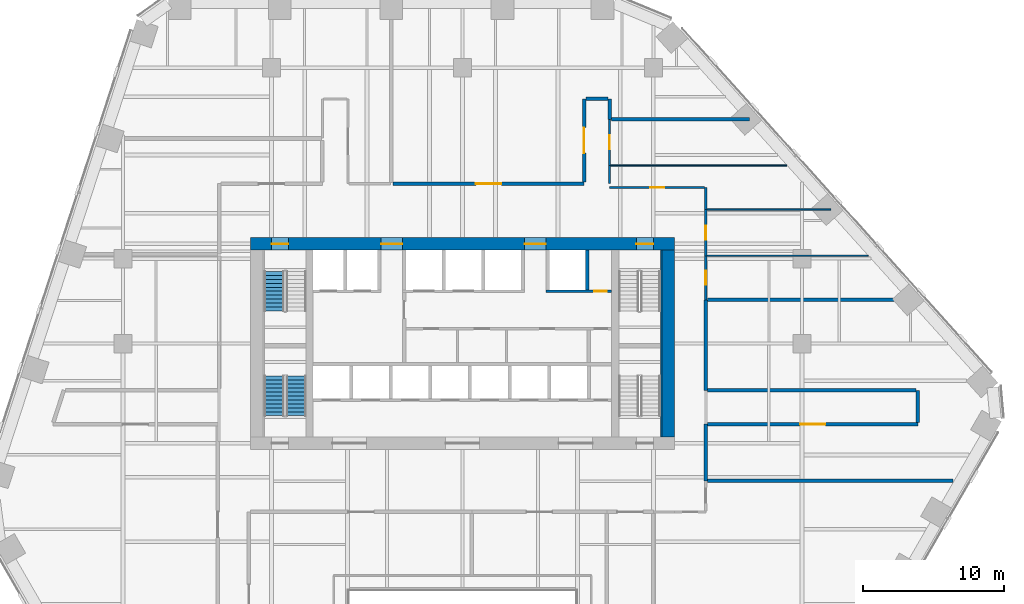
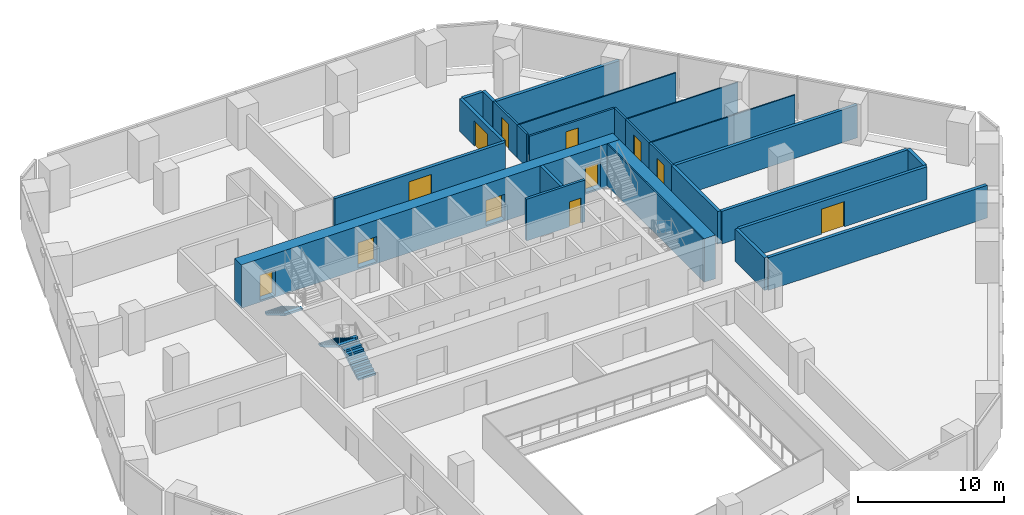
# One storey, part 16 of 21: 26 walls, 12 doors, 3 stair flights, 12 openings, 2 elements without a shape of their own.
"""IFC4 building model written with IfcOpenShell, lengths in metres."""

from ifc_helpers import new_model, si_unit, direction, frame, frame_2d, origin, place, context, subcontext, project, spatial, polyline, rectangle, outline, extrude, material, layer, layer_set, type_object, element, fill, aggregate, save


model = new_model("IFC4")

# Units and contexts
model_context = context("Model", 3, precision=1e-05, world=origin(), true_north=direction((0.0, 1.0)))
body_context = subcontext(model_context, "Body", "Model", "MODEL_VIEW")
ifc_project = project(units=[si_unit("LENGTHUNIT", "METRE"), si_unit("AREAUNIT", "SQUARE_METRE"), si_unit("VOLUMEUNIT", "CUBIC_METRE"), si_unit("PLANEANGLEUNIT", "RADIAN"), si_unit("MASSUNIT", "GRAM", prefix="KILO")], contexts=[model_context])

# Site, building, storey
site_placement = place(None, origin())
site = spatial("IfcSite", under=ifc_project, at=site_placement, CompositionType="ELEMENT")
building_placement = place(site_placement, origin())
building = spatial("IfcBuilding", under=site, at=building_placement, Name="Isthmus Gate Tower", CompositionType="ELEMENT")
storey_placement = place(building_placement, frame((0.0, 0.0, 109.85009765625)))
storey = spatial("IfcBuildingStorey", under=building, at=storey_placement, Name="L26", CompositionType="ELEMENT", Elevation=109.85009765625)

# Walls
ifc_material_1 = material(Name="Double-leaf acoustic stud wall, fire-rated", Category="gypsum")
ifc_layer_1 = layer(ifc_material_1, 0.25)
ifc_layer_set_1 = layer_set([ifc_layer_1], Name="ACOUSTIC WALL 250 60 MIN")
wall_type_1 = type_object("IfcWallType", Name="ACOUSTIC WALL 250 60 MIN", PredefinedType="PARTITIONING", material=ifc_layer_set_1)
wall_1_placement = place(storey_placement, frame((10.39990234375, 24.800048828125, 0.0), z_axis=(0.0, 0.0, 1.0), x_axis=(0.0, -1.0, 0.0)))
element("IfcWall", 1, at=wall_1_placement, inside=storey, type_object=wall_type_1, Name="L26 Acoustic Wall 250 60 Min", PredefinedType="PARTITIONING", context=body_context, shape_type="SweptSolid", body=[
    extrude(rectangle(XDim=1.449951171875, YDim=0.25, at=frame_2d((0.72509765625, 0.0))), origin(), (0.0, 0.0, 1.0), 2.7412109375),
])
wall_2_placement = place(storey_placement, frame((17.199951171875, 1.800048828125, 0.0), z_axis=(0.0, 0.0, 1.0), x_axis=(0.0, -1.0, 0.0)))
element("IfcWall", 2, at=wall_2_placement, inside=storey, type_object=wall_type_1, Name="L26 Acoustic Wall 250 60 Min", PredefinedType="PARTITIONING", context=body_context, shape_type="SweptSolid", body=[
    extrude(rectangle(XDim=4.0, YDim=0.25, at=frame_2d((2.0, 0.0))), origin(), (0.0, 0.0, 1.0), 2.7412109375),
])

# Wall, opening, door
wall_3_placement = place(storey_placement, frame((32.199951171875, 1.800048828125, 0.0), z_axis=(0.0, 0.0, 1.0), x_axis=(-1.0, 0.0, 0.0)))
wall_3 = element("IfcWall", 3, at=wall_3_placement, inside=storey, type_object=wall_type_1, Name="L26 Acoustic Wall 250 60 Min", PredefinedType="PARTITIONING", context=body_context, shape_type="SweptSolid", body=[
    extrude(rectangle(XDim=14.875, YDim=0.25, at=frame_2d((7.4375, 0.0))), origin(), (0.0, 0.0, 1.0), 2.7412109375),
])
opening_1_placement = place(wall_3_placement, frame((6.53759765625, 0.0, 0.0)))
opening_1 = element("IfcOpeningElement", 4, at=opening_1_placement, cuts=wall_3, Name="Opening DT-T2D-17", PredefinedType="OPENING", context=body_context, shape_type="SweptSolid", body=[
    extrude(rectangle(XDim=1.800048828125, YDim=2.10009765625, at=frame_2d((0.89990234375, 1.050048828125))), frame((0.0, 0.135009765625, 0.0), z_axis=(0.0, -1.0, 0.0), x_axis=(1.0, 0.0, 0.0)), (0.0, 0.0, 1.0), 0.27001953125),
])
ifc_material_2 = material(Name="Solid core timber door leaf, fire-rated", Category="wood")
door_type_1 = type_object("IfcDoorType", Name="FIRE DOOR ACOUSTIC ROOM 1800 X 2100 60 MIN", OperationType="DOUBLE_DOOR_DOUBLE_SWING", PredefinedType="DOOR", material=ifc_material_2)
door_1_placement = place(opening_1_placement, origin())
door_1 = element("IfcDoor", 5, at=door_1_placement, inside=storey, type_object=door_type_1, Name="L26 room door", OperationType="DOUBLE_DOOR_DOUBLE_SWING", OverallHeight=2.10009765625, OverallWidth=1.800048828125, PredefinedType="DOOR", context=body_context, shape_type="SweptSolid", body=[
    extrude(rectangle(XDim=1.800048828125, YDim=2.10009765625, at=frame_2d((0.89990234375, 1.050048828125))), frame((0.0, 0.02490234375, 0.0), z_axis=(0.0, -1.0, 0.0), x_axis=(1.0, 0.0, 0.0)), (0.0, 0.0, 1.0), 0.050048828125),
])
fill(opening_1, door_1)

# Walls
wall_4_placement = place(storey_placement, frame((32.199951171875, 4.199951171875, 0.0), z_axis=(0.0, 0.0, 1.0), x_axis=(0.0, -1.0, 0.0)))
element("IfcWall", 6, at=wall_4_placement, inside=storey, type_object=wall_type_1, Name="L26 Acoustic Wall 250 60 Min", PredefinedType="PARTITIONING", context=body_context, shape_type="SweptSolid", body=[
    extrude(rectangle(XDim=2.27490234375, YDim=0.25, at=frame_2d((1.137451171875, 0.0))), origin(), (0.0, 0.0, 1.0), 2.7412109375),
])
wall_5_placement = place(storey_placement, frame((17.199951171875, 10.583984375, 0.0), z_axis=(0.0, 0.0, 1.0), x_axis=(0.0, -1.0, 0.0)))
element("IfcWall", 7, at=wall_5_placement, inside=storey, type_object=wall_type_1, Name="L26 Acoustic Wall 250 60 Min", PredefinedType="PARTITIONING", context=body_context, shape_type="SweptSolid", body=[
    extrude(rectangle(XDim=6.384033203125, YDim=0.25, at=frame_2d((3.19189453125, 0.0))), origin(), (0.0, 0.0, 1.0), 2.7412109375),
])

# Wall, opening, door
wall_6_placement = place(storey_placement, frame((-4.912109375, 18.800048828125, 0.0), z_axis=(0.0, 0.0, 1.0), x_axis=(1.0, 0.0, 0.0)))
wall_6 = element("IfcWall", 8, at=wall_6_placement, inside=storey, type_object=wall_type_1, Name="L26 Acoustic Wall 250 60 Min", PredefinedType="PARTITIONING", context=body_context, shape_type="SweptSolid", body=[
    extrude(rectangle(XDim=13.51220703125, YDim=0.25, at=frame_2d((6.756103515625, 0.0))), origin(), (0.0, 0.0, 1.0), 2.7412109375),
])
opening_2_placement = place(wall_6_placement, frame((5.85595703125, 0.0, 0.0)))
opening_2 = element("IfcOpeningElement", 9, at=opening_2_placement, cuts=wall_6, Name="Opening DT-T2D-02", PredefinedType="OPENING", context=body_context, shape_type="SweptSolid", body=[
    extrude(rectangle(XDim=1.800048828125, YDim=2.10009765625, at=frame_2d((0.89990234375, 1.050048828125))), frame((0.0, 0.135009765625, 0.0), z_axis=(0.0, -1.0, 0.0), x_axis=(1.0, 0.0, 0.0)), (0.0, 0.0, 1.0), 0.27001953125),
])
door_2_placement = place(opening_2_placement, origin())
door_2 = element("IfcDoor", 10, at=door_2_placement, inside=storey, type_object=door_type_1, Name="L26 room door", OperationType="DOUBLE_DOOR_DOUBLE_SWING", OverallHeight=2.10009765625, OverallWidth=1.800048828125, PredefinedType="DOOR", context=body_context, shape_type="SweptSolid", body=[
    extrude(rectangle(XDim=1.800048828125, YDim=2.10009765625, at=frame_2d((0.89990234375, 1.050048828125))), frame((0.0, 0.02490234375, 0.0), z_axis=(0.0, -1.0, 0.0), x_axis=(1.0, 0.0, 0.0)), (0.0, 0.0, 1.0), 0.050048828125),
])
fill(opening_2, door_2)

wall_7_placement = place(storey_placement, frame((8.60009765625, 18.925048828125, 0.0), z_axis=(0.0, 0.0, 1.0), x_axis=(0.0, 1.0, 0.0)))
wall_7 = element("IfcWall", 11, at=wall_7_placement, inside=storey, type_object=wall_type_1, Name="L26 Acoustic Wall 250 60 Min", PredefinedType="PARTITIONING", context=body_context, shape_type="SweptSolid", body=[
    extrude(rectangle(XDim=5.875, YDim=0.25, at=frame_2d((2.9375, 0.0))), origin(), (0.0, 0.0, 1.0), 2.7412109375),
])
opening_3_placement = place(wall_7_placement, frame((2.03759765625, 0.0, 0.0)))
opening_3 = element("IfcOpeningElement", 12, at=opening_3_placement, cuts=wall_7, Name="Opening DT-T2D-03", PredefinedType="OPENING", context=body_context, shape_type="SweptSolid", body=[
    extrude(rectangle(XDim=1.800048828125, YDim=2.10009765625, at=frame_2d((0.89990234375, 1.050048828125))), frame((0.0, 0.135009765625, 0.0), z_axis=(0.0, -1.0, 0.0), x_axis=(1.0, 0.0, 0.0)), (0.0, 0.0, 1.0), 0.27001953125),
])
door_3_placement = place(opening_3_placement, origin())
door_3 = element("IfcDoor", 13, at=door_3_placement, inside=storey, type_object=door_type_1, Name="L26 room door", OperationType="DOUBLE_DOOR_DOUBLE_SWING", OverallHeight=2.10009765625, OverallWidth=1.800048828125, PredefinedType="DOOR", context=body_context, shape_type="SweptSolid", body=[
    extrude(rectangle(XDim=1.800048828125, YDim=2.10009765625, at=frame_2d((0.89990234375, 1.050048828125))), frame((0.0, 0.02490234375, 0.0), z_axis=(0.0, -1.0, 0.0), x_axis=(1.0, 0.0, 0.0)), (0.0, 0.0, 1.0), 0.050048828125),
])
fill(opening_3, door_3)

# Walls
wall_8_placement = place(storey_placement, frame((8.72509765625, 24.800048828125, 0.0), z_axis=(0.0, 0.0, 1.0), x_axis=(1.0, 0.0, 0.0)))
element("IfcWall", 14, at=wall_8_placement, inside=storey, type_object=wall_type_1, Name="L26 Acoustic Wall 250 60 Min", PredefinedType="PARTITIONING", context=body_context, shape_type="SweptSolid", body=[
    extrude(rectangle(XDim=1.5498046875, YDim=0.25, at=frame_2d((0.77490234375, 0.0))), origin(), (0.0, 0.0, 1.0), 2.7412109375),
])
wall_9_placement = place(storey_placement, frame((10.52490234375, 23.35009765625, 0.0), z_axis=(0.0, 0.0, 1.0), x_axis=(1.0, 0.0, 0.0)))
element("IfcWall", 15, at=wall_9_placement, inside=storey, type_object=wall_type_1, Name="L26 Acoustic Wall 250 60 Min", PredefinedType="PARTITIONING", context=body_context, shape_type="SweptSolid", body=[
    extrude(rectangle(XDim=9.76220703125, YDim=0.25, at=frame_2d((4.881103515625, 0.0))), origin(), (0.0, 0.0, 1.0), 2.7412109375),
])
wall_10_placement = place(storey_placement, frame((17.324951171875, 10.583984375, 0.0), z_axis=(0.0, 0.0, 1.0), x_axis=(1.0, 0.0, 0.0)))
element("IfcWall", 16, at=wall_10_placement, inside=storey, type_object=wall_type_1, Name="L26 Acoustic Wall 250 60 Min", PredefinedType="PARTITIONING", context=body_context, shape_type="SweptSolid", body=[
    extrude(rectangle(XDim=14.45703125, YDim=0.25, at=frame_2d((7.228515625, 0.0))), origin(), (0.0, 0.0, 1.0), 2.7412109375),
])
wall_11_placement = place(storey_placement, frame((17.324951171875, 4.199951171875, 0.0), z_axis=(0.0, 0.0, 1.0), x_axis=(1.0, 0.0, 0.0)))
element("IfcWall", 17, at=wall_11_placement, inside=storey, type_object=wall_type_1, Name="L26 Acoustic Wall 250 60 Min", PredefinedType="PARTITIONING", context=body_context, shape_type="SweptSolid", body=[
    extrude(rectangle(XDim=14.75, YDim=0.25, at=frame_2d((7.375, 0.0))), origin(), (0.0, 0.0, 1.0), 2.7412109375),
])
wall_12_placement = place(storey_placement, frame((17.324951171875, -2.199951171875, 0.0), z_axis=(0.0, 0.0, 1.0), x_axis=(1.0, 0.0, 0.0)))
element("IfcWall", 18, at=wall_12_placement, inside=storey, type_object=wall_type_1, Name="L26 Acoustic Wall 250 60 Min", PredefinedType="PARTITIONING", context=body_context, shape_type="SweptSolid", body=[
    extrude(rectangle(XDim=17.362060546875, YDim=0.25, at=frame_2d((8.68115234375, 0.0))), origin(), (0.0, 0.0, 1.0), 2.7412109375),
])

# Wall, opening, door
ifc_material_3 = material(Name="Gypsum board on steel studs, fire-rated", Category="steel")
ifc_layer_2 = layer(ifc_material_3, 0.14990234375)
ifc_layer_set_2 = layer_set([ifc_layer_2], Name="CORRIDOR WALL 150 60 MIN")
wall_type_2 = type_object("IfcWallType", Name="CORRIDOR WALL 150 60 MIN", PredefinedType="PARTITIONING", material=ifc_layer_set_2)
wall_13_placement = place(storey_placement, frame((10.39990234375, 23.35009765625, 0.0), z_axis=(0.0, 0.0, 1.0), x_axis=(0.0, -1.0, 0.0)))
wall_13 = element("IfcWall", 19, at=wall_13_placement, inside=storey, type_object=wall_type_2, Name="L26 Corridor Wall 150 60 Min", PredefinedType="PARTITIONING", context=body_context, shape_type="SweptSolid", body=[
    extrude(rectangle(XDim=3.258056640625, YDim=0.14990234375, at=frame_2d((1.62890625, 0.0))), origin(), (0.0, 0.0, 1.0), 2.7412109375),
])
opening_4_placement = place(wall_13_placement, frame((1.12890625, 0.0, 0.0)))
opening_4 = element("IfcOpeningElement", 20, at=opening_4_placement, cuts=wall_13, Name="Opening DT-T2D-04", PredefinedType="OPENING", context=body_context, shape_type="SweptSolid", body=[
    extrude(rectangle(XDim=1.0, YDim=2.10009765625, at=frame_2d((0.5, 1.050048828125))), frame((0.0, 0.0849609375, 0.0), z_axis=(0.0, -1.0, 0.0), x_axis=(1.0, 0.0, 0.0)), (0.0, 0.0, 1.0), 0.169921875),
])
ifc_material_4 = material(Name="Solid core timber door leaf, fire-rated", Category="wood")
door_type_2 = type_object("IfcDoorType", Name="FIRE DOOR ROOM 1000 X 2100 60 MIN", OperationType="SINGLE_SWING_LEFT", PredefinedType="DOOR", material=ifc_material_4)
door_4_placement = place(opening_4_placement, origin())
door_4 = element("IfcDoor", 21, at=door_4_placement, inside=storey, type_object=door_type_2, Name="L26 room door", OperationType="SINGLE_SWING_RIGHT", OverallHeight=2.10009765625, OverallWidth=1.0, PredefinedType="DOOR", context=body_context, shape_type="SweptSolid", body=[
    extrude(rectangle(XDim=1.0, YDim=2.10009765625, at=frame_2d((0.5, 1.050048828125))), frame((0.0, 0.02490234375, 0.0), z_axis=(0.0, -1.0, 0.0), x_axis=(1.0, 0.0, 0.0)), (0.0, 0.0, 1.0), 0.050048828125),
])
fill(opening_4, door_4)

# Walls
wall_14_placement = place(storey_placement, frame((10.39990234375, 20.092041015625, 0.0), z_axis=(0.0, 0.0, 1.0), x_axis=(0.0, -1.0, 0.0)))
element("IfcWall", 22, at=wall_14_placement, inside=storey, type_object=wall_type_2, Name="L26 Corridor Wall 150 60 Min", PredefinedType="PARTITIONING", context=body_context, shape_type="SweptSolid", body=[
    extrude(rectangle(XDim=1.2900390625, YDim=0.14990234375, at=frame_2d((0.64501953125, 0.0))), origin(), (0.0, 0.0, 1.0), 2.7412109375),
])
wall_15_placement = place(storey_placement, frame((17.199951171875, 18.5400390625, 0.0), z_axis=(0.0, 0.0, 1.0), x_axis=(0.0, -1.0, 0.0)))
element("IfcWall", 23, at=wall_15_placement, inside=storey, type_object=wall_type_2, Name="L26 Corridor Wall 150 60 Min", PredefinedType="PARTITIONING", context=body_context, shape_type="SweptSolid", body=[
    extrude(rectangle(XDim=1.572998046875, YDim=0.14990234375, at=frame_2d((0.78662109375, 0.0))), origin(), (0.0, 0.0, 1.0), 2.7412109375),
])

# Wall, opening, door
wall_16_placement = place(storey_placement, frame((17.199951171875, 16.967041015625, 0.0), z_axis=(0.0, 0.0, 1.0), x_axis=(0.0, -1.0, 0.0)))
wall_16 = element("IfcWall", 24, at=wall_16_placement, inside=storey, type_object=wall_type_2, Name="L26 Corridor Wall 150 60 Min", PredefinedType="PARTITIONING", context=body_context, shape_type="SweptSolid", body=[
    extrude(rectangle(XDim=3.258056640625, YDim=0.14990234375, at=frame_2d((1.62890625, 0.0))), origin(), (0.0, 0.0, 1.0), 2.7412109375),
])
opening_5_placement = place(wall_16_placement, frame((1.12890625, 0.0, 0.0)))
opening_5 = element("IfcOpeningElement", 25, at=opening_5_placement, cuts=wall_16, Name="Opening DT-T2D-07", PredefinedType="OPENING", context=body_context, shape_type="SweptSolid", body=[
    extrude(rectangle(XDim=1.0, YDim=2.10009765625, at=frame_2d((0.5, 1.050048828125))), frame((0.0, 0.0849609375, 0.0), z_axis=(0.0, -1.0, 0.0), x_axis=(1.0, 0.0, 0.0)), (0.0, 0.0, 1.0), 0.169921875),
])
door_5_placement = place(opening_5_placement, origin())
door_5 = element("IfcDoor", 26, at=door_5_placement, inside=storey, type_object=door_type_2, Name="L26 room door", OperationType="SINGLE_SWING_RIGHT", OverallHeight=2.10009765625, OverallWidth=1.0, PredefinedType="DOOR", context=body_context, shape_type="SweptSolid", body=[
    extrude(rectangle(XDim=1.0, YDim=2.10009765625, at=frame_2d((0.5, 1.050048828125))), frame((0.0, 0.02490234375, 0.0), z_axis=(0.0, -1.0, 0.0), x_axis=(1.0, 0.0, 0.0)), (0.0, 0.0, 1.0), 0.050048828125),
])
fill(opening_5, door_5)

wall_17_placement = place(storey_placement, frame((17.199951171875, 13.708984375, 0.0), z_axis=(0.0, 0.0, 1.0), x_axis=(0.0, -1.0, 0.0)))
wall_17 = element("IfcWall", 27, at=wall_17_placement, inside=storey, type_object=wall_type_2, Name="L26 Corridor Wall 150 60 Min", PredefinedType="PARTITIONING", context=body_context, shape_type="SweptSolid", body=[
    extrude(rectangle(XDim=3.125, YDim=0.14990234375, at=frame_2d((1.5625, 0.0))), origin(), (0.0, 0.0, 1.0), 2.7412109375),
])
opening_6_placement = place(wall_17_placement, frame((1.0625, 0.0, 0.0)))
opening_6 = element("IfcOpeningElement", 28, at=opening_6_placement, cuts=wall_17, Name="Opening DT-T2D-08", PredefinedType="OPENING", context=body_context, shape_type="SweptSolid", body=[
    extrude(rectangle(XDim=1.0, YDim=2.10009765625, at=frame_2d((0.5, 1.050048828125))), frame((0.0, 0.0849609375, 0.0), z_axis=(0.0, -1.0, 0.0), x_axis=(1.0, 0.0, 0.0)), (0.0, 0.0, 1.0), 0.169921875),
])
door_6_placement = place(opening_6_placement, origin())
door_6 = element("IfcDoor", 29, at=door_6_placement, inside=storey, type_object=door_type_2, Name="L26 room door", OperationType="SINGLE_SWING_RIGHT", OverallHeight=2.10009765625, OverallWidth=1.0, PredefinedType="DOOR", context=body_context, shape_type="SweptSolid", body=[
    extrude(rectangle(XDim=1.0, YDim=2.10009765625, at=frame_2d((0.5, 1.050048828125))), frame((0.0, 0.02490234375, 0.0), z_axis=(0.0, -1.0, 0.0), x_axis=(1.0, 0.0, 0.0)), (0.0, 0.0, 1.0), 0.050048828125),
])
fill(opening_6, door_6)

wall_18_placement = place(storey_placement, frame((10.39794921875, 18.5400390625, 0.0), z_axis=(0.0, 0.0, 1.0), x_axis=(1.0, 0.0, 0.0)))
wall_18 = element("IfcWall", 30, at=wall_18_placement, inside=storey, type_object=wall_type_2, Name="L26 Corridor Wall 150 60 Min", PredefinedType="PARTITIONING", context=body_context, shape_type="SweptSolid", body=[
    extrude(rectangle(XDim=6.72705078125, YDim=0.14990234375, at=frame_2d((3.363525390625, 0.0))), origin(), (0.0, 0.0, 1.0), 2.7412109375),
])
opening_7_placement = place(wall_18_placement, frame((2.863525390625, 0.0, 0.0)))
opening_7 = element("IfcOpeningElement", 31, at=opening_7_placement, cuts=wall_18, Name="Opening DT-T2D-06", PredefinedType="OPENING", context=body_context, shape_type="SweptSolid", body=[
    extrude(rectangle(XDim=1.0, YDim=2.10009765625, at=frame_2d((0.5, 1.050048828125))), frame((0.0, 0.0849609375, 0.0), z_axis=(0.0, -1.0, 0.0), x_axis=(1.0, 0.0, 0.0)), (0.0, 0.0, 1.0), 0.169921875),
])
door_7_placement = place(opening_7_placement, origin())
door_7 = element("IfcDoor", 32, at=door_7_placement, inside=storey, type_object=door_type_2, Name="L26 room door", OperationType="SINGLE_SWING_RIGHT", OverallHeight=2.10009765625, OverallWidth=1.0, PredefinedType="DOOR", context=body_context, shape_type="SweptSolid", body=[
    extrude(rectangle(XDim=1.0, YDim=2.10009765625, at=frame_2d((0.5, 1.050048828125))), frame((0.0, 0.02490234375, 0.0), z_axis=(0.0, -1.0, 0.0), x_axis=(1.0, 0.0, 0.0)), (0.0, 0.0, 1.0), 0.050048828125),
])
fill(opening_7, door_7)

# Wall, openings, doors
ifc_material_5 = material(Name="Concrete f'c 70 MPa", Category="concrete")
ifc_layer_3 = layer(ifc_material_5, 0.89990234375)
ifc_layer_set_3 = layer_set([ifc_layer_3], Name="RC CORE WALL 900 F'C 70")
wall_type_3 = type_object("IfcWallType", Name="RC CORE WALL 900 F'C 70", PredefinedType="SOLIDWALL", material=ifc_layer_set_3)
wall_19_placement = place(storey_placement, frame((-15.0, 14.550048828125, -0.150146484375), z_axis=(0.0, 0.0, 1.0), x_axis=(1.0, 0.0, 0.0)))
wall_19 = element("IfcWall", 33, at=wall_19_placement, inside=storey, type_object=wall_type_3, Name="str-corewall-L26-N", PredefinedType="SOLIDWALL", context=body_context, shape_type="SweptSolid", body=[
    extrude(rectangle(XDim=30.0, YDim=0.89990234375, at=frame_2d((15.0, 0.0))), origin(), (0.0, 0.0, 1.0), 3.650146484375),
])
opening_8_placement = place(wall_19_placement, frame((9.25, 0.0, 0.14990234375)))
opening_8 = element("IfcOpeningElement", 34, at=opening_8_placement, cuts=wall_19, Name="Opening DC-A03-11", PredefinedType="OPENING", context=body_context, shape_type="SweptSolid", body=[
    extrude(rectangle(XDim=1.5, YDim=2.10009765625, at=frame_2d((0.75, 1.050048828125))), frame((0.0, 0.4599609375, 0.0), z_axis=(0.0, -1.0, 0.0), x_axis=(1.0, 0.0, 0.0)), (0.0, 0.0, 1.0), 0.919921875),
])
opening_9_placement = place(wall_19_placement, frame((19.39990234375, 0.0, 0.14990234375)))
opening_9 = element("IfcOpeningElement", 35, at=opening_9_placement, cuts=wall_19, Name="Opening DC-A03-12", PredefinedType="OPENING", context=body_context, shape_type="SweptSolid", body=[
    extrude(rectangle(XDim=1.5, YDim=2.10009765625, at=frame_2d((0.75, 1.050048828125))), frame((0.0, 0.4599609375, 0.0), z_axis=(0.0, -1.0, 0.0), x_axis=(1.0, 0.0, 0.0)), (0.0, 0.0, 1.0), 0.919921875),
])
opening_10_placement = place(wall_19_placement, frame((1.5, 0.0, 0.14990234375)))
opening_10 = element("IfcOpeningElement", 36, at=opening_10_placement, cuts=wall_19, Name="Opening DC-A03-13", PredefinedType="OPENING", context=body_context, shape_type="SweptSolid", body=[
    extrude(rectangle(XDim=1.199951171875, YDim=2.10009765625, at=frame_2d((0.60009765625, 1.050048828125))), frame((0.0, 0.4599609375, 0.0), z_axis=(0.0, -1.0, 0.0), x_axis=(1.0, 0.0, 0.0)), (0.0, 0.0, 1.0), 0.919921875),
])
opening_11_placement = place(wall_19_placement, frame((27.300048828125, 0.0, 0.14990234375)))
opening_11 = element("IfcOpeningElement", 37, at=opening_11_placement, cuts=wall_19, Name="Opening DC-A03-14", PredefinedType="OPENING", context=body_context, shape_type="SweptSolid", body=[
    extrude(rectangle(XDim=1.199951171875, YDim=2.10009765625, at=frame_2d((0.60009765625, 1.050048828125))), frame((0.0, 0.4599609375, 0.0), z_axis=(0.0, -1.0, 0.0), x_axis=(1.0, 0.0, 0.0)), (0.0, 0.0, 1.0), 0.919921875),
])
ifc_material_6 = material(Name="Steel door leaf, fire-rated", Category="steel")
door_type_3 = type_object("IfcDoorType", Name="LOBBY FIRE DOOR 1500 X 2100 60 MIN", OperationType="DOUBLE_DOOR_SINGLE_SWING", PredefinedType="DOOR", material=ifc_material_6)
door_8_placement = place(opening_9_placement, origin())
door_8 = element("IfcDoor", 38, at=door_8_placement, inside=storey, type_object=door_type_3, Name="Lobby Door PN-E", OperationType="DOUBLE_DOOR_SINGLE_SWING", OverallHeight=2.10009765625, OverallWidth=1.5, PredefinedType="DOOR", context=body_context, shape_type="SweptSolid", body=[
    extrude(rectangle(XDim=1.5, YDim=2.10009765625, at=frame_2d((0.75, 1.050048828125))), frame((0.0, 0.02490234375, 0.0), z_axis=(0.0, -1.0, 0.0), x_axis=(1.0, 0.0, 0.0)), (0.0, 0.0, 1.0), 0.050048828125),
])
fill(opening_9, door_8)
ifc_material_7 = material(Name="Steel door leaf, fire-rated", Category="steel")
door_type_4 = type_object("IfcDoorType", Name="LOBBY FIRE DOOR 1500 X 2100 90 MIN", OperationType="DOUBLE_DOOR_SINGLE_SWING", PredefinedType="DOOR", material=ifc_material_7)
door_9_placement = place(opening_8_placement, origin())
door_9 = element("IfcDoor", 39, at=door_9_placement, inside=storey, type_object=door_type_4, Name="Lobby Door PN-W", OperationType="DOUBLE_DOOR_SINGLE_SWING", OverallHeight=2.10009765625, OverallWidth=1.5, PredefinedType="DOOR", context=body_context, shape_type="SweptSolid", body=[
    extrude(rectangle(XDim=1.5, YDim=2.10009765625, at=frame_2d((0.75, 1.050048828125))), frame((0.0, 0.02490234375, 0.0), z_axis=(0.0, -1.0, 0.0), x_axis=(1.0, 0.0, 0.0)), (0.0, 0.0, 1.0), 0.050048828125),
])
fill(opening_8, door_9)
ifc_material_8 = material(Name="Steel door leaf, fire-rated", Category="steel")
door_type_5 = type_object("IfcDoorType", Name="STAIR FIRE DOOR 1200 X 2100 90 MIN", OperationType="SINGLE_SWING_LEFT", PredefinedType="DOOR", material=ifc_material_8)
door_10_placement = place(opening_10_placement, origin())
door_10 = element("IfcDoor", 40, at=door_10_placement, inside=storey, type_object=door_type_5, Name="Exit Stair 1 Door", OperationType="SINGLE_SWING_RIGHT", OverallHeight=2.10009765625, OverallWidth=1.199951171875, PredefinedType="DOOR", context=body_context, shape_type="SweptSolid", body=[
    extrude(rectangle(XDim=1.199951171875, YDim=2.10009765625, at=frame_2d((0.60009765625, 1.050048828125))), frame((0.0, 0.02490234375, 0.0), z_axis=(0.0, -1.0, 0.0), x_axis=(1.0, 0.0, 0.0)), (0.0, 0.0, 1.0), 0.050048828125),
])
fill(opening_10, door_10)
door_11_placement = place(opening_11_placement, origin())
door_11 = element("IfcDoor", 41, at=door_11_placement, inside=storey, type_object=door_type_5, Name="Exit Stair 2 Door", OperationType="SINGLE_SWING_LEFT", OverallHeight=2.10009765625, OverallWidth=1.199951171875, PredefinedType="DOOR", context=body_context, shape_type="SweptSolid", body=[
    extrude(rectangle(XDim=1.199951171875, YDim=2.10009765625, at=frame_2d((0.60009765625, 1.050048828125))), frame((0.0, 0.02490234375, 0.0), z_axis=(0.0, -1.0, 0.0), x_axis=(1.0, 0.0, 0.0)), (0.0, 0.0, 1.0), 0.050048828125),
])
fill(opening_11, door_11)

# Walls
wall_20_placement = place(storey_placement, frame((14.550048828125, 0.89990234375, -0.150146484375), z_axis=(0.0, 0.0, 1.0), x_axis=(0.0, 1.0, 0.0)))
element("IfcWall", 42, at=wall_20_placement, inside=storey, type_object=wall_type_3, Name="str-corewall-L26-E", PredefinedType="SOLIDWALL", context=body_context, shape_type="SweptSolid", body=[
    extrude(rectangle(XDim=13.2001953125, YDim=0.89990234375, at=frame_2d((6.60009765625, 0.0))), origin(), (0.0, 0.0, 1.0), 3.650146484375),
])
ifc_material_9 = material(Name="Gypsum board on steel studs, fire-rated", Category="steel")
ifc_layer_4 = layer(ifc_material_9, 0.10009765625)
ifc_layer_set_4 = layer_set([ifc_layer_4], Name="ROOM PARTITION 100 30 MIN")
wall_type_4 = type_object("IfcWallType", Name="ROOM PARTITION 100 30 MIN", PredefinedType="PARTITIONING", material=ifc_layer_set_4)
wall_21_placement = place(storey_placement, frame((10.47509765625, 20.092041015625, 0.0), z_axis=(0.0, 0.0, 1.0), x_axis=(1.0, 0.0, 0.0)))
element("IfcWall", 43, at=wall_21_placement, inside=storey, type_object=wall_type_4, Name="L26 Room Partition 100 30 Min", PredefinedType="PARTITIONING", context=body_context, shape_type="SweptSolid", body=[
    extrude(rectangle(XDim=12.44580078125, YDim=0.10009765625, at=frame_2d((6.222900390625, 0.0))), origin(), (0.0, 0.0, 1.0), 2.7412109375),
])
wall_22_placement = place(storey_placement, frame((17.27490234375, 16.967041015625, 0.0), z_axis=(0.0, 0.0, 1.0), x_axis=(1.0, 0.0, 0.0)))
element("IfcWall", 44, at=wall_22_placement, inside=storey, type_object=wall_type_4, Name="L26 Room Partition 100 30 Min", PredefinedType="PARTITIONING", context=body_context, shape_type="SweptSolid", body=[
    extrude(rectangle(XDim=8.760009765625, YDim=0.10009765625, at=frame_2d((4.3798828125, 0.0))), origin(), (0.0, 0.0, 1.0), 2.7412109375),
])
wall_23_placement = place(storey_placement, frame((17.27490234375, 13.708984375, 0.0), z_axis=(0.0, 0.0, 1.0), x_axis=(1.0, 0.0, 0.0)))
element("IfcWall", 45, at=wall_23_placement, inside=storey, type_object=wall_type_4, Name="L26 Room Partition 100 30 Min", PredefinedType="PARTITIONING", context=body_context, shape_type="SweptSolid", body=[
    extrude(rectangle(XDim=11.39306640625, YDim=0.10009765625, at=frame_2d((5.696533203125, 0.0))), origin(), (0.0, 0.0, 1.0), 2.7412109375),
])

# Wall, opening, door
ifc_material_10 = material(Name="Fire-rated blockwork masonry, 15 MPa", Category="masonry")
ifc_layer_5 = layer(ifc_material_10, 0.199951171875)
ifc_layer_set_5 = layer_set([ifc_layer_5], Name="SHAFT FRONT WALL 200 120 MIN")
wall_type_5 = type_object("IfcWallType", Name="SHAFT FRONT WALL 200 120 MIN", PredefinedType="PARTITIONING", material=ifc_layer_set_5)
wall_24_placement = place(storey_placement, frame((5.89990234375, 11.199951171875, 0.0), z_axis=(0.0, 0.0, 1.0), x_axis=(1.0, 0.0, 0.0)))
wall_24 = element("IfcWall", 46, at=wall_24_placement, inside=storey, type_object=wall_type_5, Name="L26 SHAFT FRONT WALL 200 120 MIN", PredefinedType="PARTITIONING", context=body_context, shape_type="SweptSolid", body=[
    extrude(rectangle(XDim=4.650146484375, YDim=0.199951171875, at=frame_2d((2.3251953125, 0.0))), origin(), (0.0, 0.0, 1.0), 3.5),
])
opening_12_placement = place(wall_24_placement, frame((3.39990234375, 0.0, 0.0)))
opening_12 = element("IfcOpeningElement", 47, at=opening_12_placement, cuts=wall_24, Name="Opening DC-A03-07", PredefinedType="OPENING", context=body_context, shape_type="SweptSolid", body=[
    extrude(rectangle(XDim=0.89990234375, YDim=2.10009765625, at=frame_2d((0.449951171875, 1.050048828125))), frame((0.0, 0.10986328125, 0.0), z_axis=(0.0, -1.0, 0.0), x_axis=(1.0, 0.0, 0.0)), (0.0, 0.0, 1.0), 0.219970703125),
])
ifc_material_11 = material(Name="Steel door leaf, fire-rated", Category="steel")
door_type_6 = type_object("IfcDoorType", Name="RISER FIRE DOOR 900 X 2100 90 MIN", OperationType="SINGLE_SWING_LEFT", PredefinedType="DOOR", material=ifc_material_11)
door_12_placement = place(opening_12_placement, origin())
door_12 = element("IfcDoor", 48, at=door_12_placement, inside=storey, type_object=door_type_6, Name="Riser Door", OperationType="SINGLE_SWING_LEFT", OverallHeight=2.10009765625, OverallWidth=0.89990234375, PredefinedType="DOOR", context=body_context, shape_type="SweptSolid", body=[
    extrude(rectangle(XDim=0.89990234375, YDim=2.10009765625, at=frame_2d((0.449951171875, 1.050048828125))), frame((0.0, 0.02490234375, 0.0), z_axis=(0.0, -1.0, 0.0), x_axis=(1.0, 0.0, 0.0)), (0.0, 0.0, 1.0), 0.050048828125),
])
fill(opening_12, door_12)

# Walls
ifc_material_12 = material(Name="Fire-rated blockwork masonry, 15 MPa", Category="masonry")
ifc_layer_6 = layer(ifc_material_12, 0.25)
ifc_layer_set_6 = layer_set([ifc_layer_6], Name="SHAFT WALL 250 120 MIN")
wall_type_6 = type_object("IfcWallType", Name="SHAFT WALL 250 120 MIN", PredefinedType="PARTITIONING", material=ifc_layer_set_6)
wall_25_placement = place(storey_placement, frame((8.824951171875, 11.300048828125, 0.0), z_axis=(0.0, 0.0, 1.0), x_axis=(0.0, 1.0, 0.0)))
element("IfcWall", 49, at=wall_25_placement, inside=storey, type_object=wall_type_6, Name="L26 SHAFT WALL 250 120 MIN", PredefinedType="PARTITIONING", context=body_context, shape_type="SweptSolid", body=[
    extrude(rectangle(XDim=2.800048828125, YDim=0.25, at=frame_2d((1.39990234375, 0.0))), origin(), (0.0, 0.0, 1.0), 3.5),
])
ifc_material_13 = material(Name="Concrete f'c 40 MPa", Category="concrete")
ifc_layer_7 = layer(ifc_material_13, 0.10009765625)
ifc_layer_set_7 = layer_set([ifc_layer_7], Name="STAIR ENCLOSURE WALL 100 180 MIN")
wall_type_7 = type_object("IfcWallType", Name="STAIR ENCLOSURE WALL 100 180 MIN", PredefinedType="SOLIDWALL", material=ifc_layer_set_7)
wall_26_placement = place(storey_placement, frame((14.050048828125, 0.89990234375, 0.0), z_axis=(0.0, 0.0, 1.0), x_axis=(0.0, 1.0, 0.0)))
element("IfcWall", 50, at=wall_26_placement, inside=storey, type_object=wall_type_7, Name="L26 STAIR ENCLOSURE WALL 100 180 MIN", PredefinedType="SOLIDWALL", context=body_context, shape_type="SweptSolid", body=[
    extrude(rectangle(XDim=13.2001953125, YDim=0.10009765625, at=frame_2d((6.60009765625, 0.0))), origin(), (0.0, 0.0, 1.0), 3.5),
])

# Stair, stair flight
ifc_material_14 = material(Name="Concrete f'c 40 MPa", Category="concrete")
stair_type = type_object("IfcStairType", Name="CORE STAIR 22 RISERS", PredefinedType="HALF_TURN_STAIR", material=ifc_material_14)
stair_1_placement = place(storey_placement, origin())
stair_1 = element("IfcStair", 51, at=stair_1_placement, inside=storey, type_object=stair_type, Name="L26 Exit Stair 1", PredefinedType="HALF_TURN_STAIR")
ifc_material_15 = material(Name="Concrete f'c 40 MPa", Category="concrete")
stair_flight_type = type_object("IfcStairFlightType", Name="STAIR FLIGHT RC 1400", PredefinedType="STRAIGHT", material=ifc_material_15)
stair_flight_1_placement = place(storey_placement, frame((-13.300048828125, 12.60009765625, 0.0), z_axis=(0.0, 0.0, 1.0), x_axis=(0.0, -1.0, 0.0)))
stair_flight_1 = element("IfcStairFlight", 52, at=stair_flight_1_placement, type_object=stair_flight_type, Name="ST1 flight 1", NumberOfRisers=11, NumberOfTreads=10, PredefinedType="STRAIGHT", RiserHeight=0.165909091, TreadLength=0.28, context=body_context, shape_type="SweptSolid", body=[
    extrude(outline(polyline([(0.0, 0.0), (0.0, 0.166015625), (0.280029296875, 0.166015625), (0.280029296875, 0.331787109375), (0.56005859375, 0.331787109375), (0.56005859375, 0.497802734375), (0.840087890625, 0.497802734375), (0.840087890625, 0.66357421875), (1.1201171875, 0.66357421875), (1.1201171875, 0.82958984375), (1.39990234375, 0.82958984375), (1.39990234375, 0.995361328125), (1.679931640625, 0.995361328125), (1.679931640625, 1.161376953125), (1.9599609375, 1.161376953125), (1.9599609375, 1.327392578125), (2.239990234375, 1.327392578125), (2.239990234375, 1.4931640625), (2.52001953125, 1.4931640625), (2.52001953125, 1.6591796875), (2.800048828125, 1.6591796875), (2.800048828125, 1.824951171875), (2.800048828125, 1.48486328125), (0.2939453125, 0.0), (0.0, 0.0)])), frame((0.0, 0.699951171875, 0.0), z_axis=(0.0, -1.0, 0.0), x_axis=(1.0, 0.0, 0.0)), (0.0, 0.0, 1.0), 1.39990234375),
])
aggregate(stair_1, [stair_flight_1])

# Stair, stair flights
stair_2_placement = place(storey_placement, origin())
stair_2 = element("IfcStair", 53, at=stair_2_placement, inside=storey, type_object=stair_type, Name="L26 Exit Stair 7", PredefinedType="HALF_TURN_STAIR")
stair_flight_2_placement = place(storey_placement, frame((-11.75, 2.39990234375, 0.0), z_axis=(0.0, 0.0, 1.0), x_axis=(0.0, 1.0, 0.0)))
stair_flight_2 = element("IfcStairFlight", 54, at=stair_flight_2_placement, type_object=stair_flight_type, Name="ST7 flight 1", NumberOfRisers=11, NumberOfTreads=10, PredefinedType="STRAIGHT", RiserHeight=0.165909091, TreadLength=0.28, context=body_context, shape_type="SweptSolid", body=[
    extrude(outline(polyline([(0.0, 0.0), (0.0, 0.166015625), (0.280029296875, 0.166015625), (0.280029296875, 0.331787109375), (0.56005859375, 0.331787109375), (0.56005859375, 0.497802734375), (0.840087890625, 0.497802734375), (0.840087890625, 0.66357421875), (1.1201171875, 0.66357421875), (1.1201171875, 0.82958984375), (1.39990234375, 0.82958984375), (1.39990234375, 0.995361328125), (1.679931640625, 0.995361328125), (1.679931640625, 1.161376953125), (1.9599609375, 1.161376953125), (1.9599609375, 1.327392578125), (2.239990234375, 1.327392578125), (2.239990234375, 1.4931640625), (2.52001953125, 1.4931640625), (2.52001953125, 1.6591796875), (2.800048828125, 1.6591796875), (2.800048828125, 1.824951171875), (2.800048828125, 1.48486328125), (0.2939453125, 0.0), (0.0, 0.0)])), frame((0.0, 0.699951171875, 0.0), z_axis=(0.0, -1.0, 0.0), x_axis=(1.0, 0.0, 0.0)), (0.0, 0.0, 1.0), 1.39990234375),
])
stair_flight_3_placement = place(storey_placement, frame((-13.300048828125, 5.199951171875, 1.824951171875), z_axis=(0.0, 0.0, 1.0), x_axis=(0.0, -1.0, 0.0)))
stair_flight_3 = element("IfcStairFlight", 55, at=stair_flight_3_placement, type_object=stair_flight_type, Name="ST7 flight 2", NumberOfRisers=11, NumberOfTreads=10, PredefinedType="STRAIGHT", RiserHeight=0.165909091, TreadLength=0.28, context=body_context, shape_type="SweptSolid", body=[
    extrude(outline(polyline([(0.0, 0.0), (0.0, 0.166015625), (0.280029296875, 0.166015625), (0.280029296875, 0.331787109375), (0.56005859375, 0.331787109375), (0.56005859375, 0.497802734375), (0.840087890625, 0.497802734375), (0.840087890625, 0.66357421875), (1.1201171875, 0.66357421875), (1.1201171875, 0.82958984375), (1.39990234375, 0.82958984375), (1.39990234375, 0.995361328125), (1.679931640625, 0.995361328125), (1.679931640625, 1.161376953125), (1.9599609375, 1.161376953125), (1.9599609375, 1.327392578125), (2.239990234375, 1.327392578125), (2.239990234375, 1.4931640625), (2.52001953125, 1.4931640625), (2.52001953125, 1.6591796875), (2.800048828125, 1.6591796875), (2.800048828125, 1.824951171875), (2.800048828125, 1.48486328125), (0.2939453125, 0.0), (0.0, 0.0)])), frame((0.0, 0.699951171875, 0.0), z_axis=(0.0, -1.0, 0.0), x_axis=(1.0, 0.0, 0.0)), (0.0, 0.0, 1.0), 1.39990234375),
])
aggregate(stair_2, [stair_flight_2, stair_flight_3])

save(model, "model.ifc")
